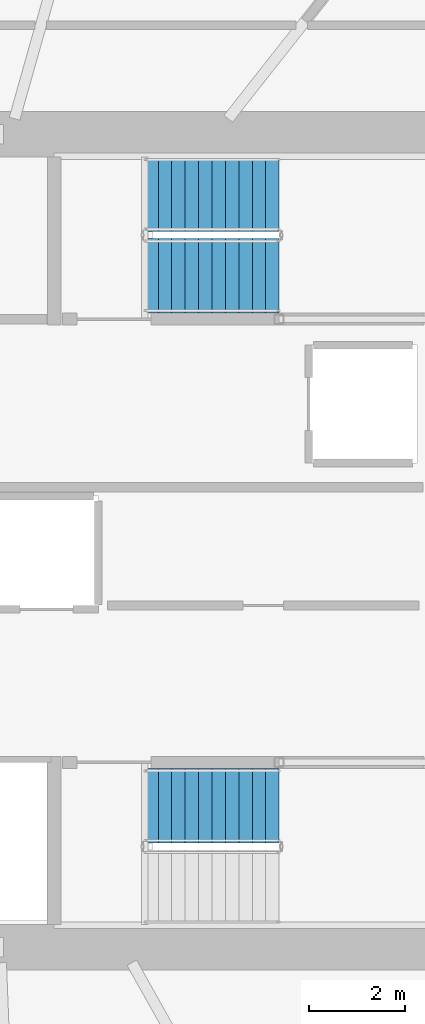
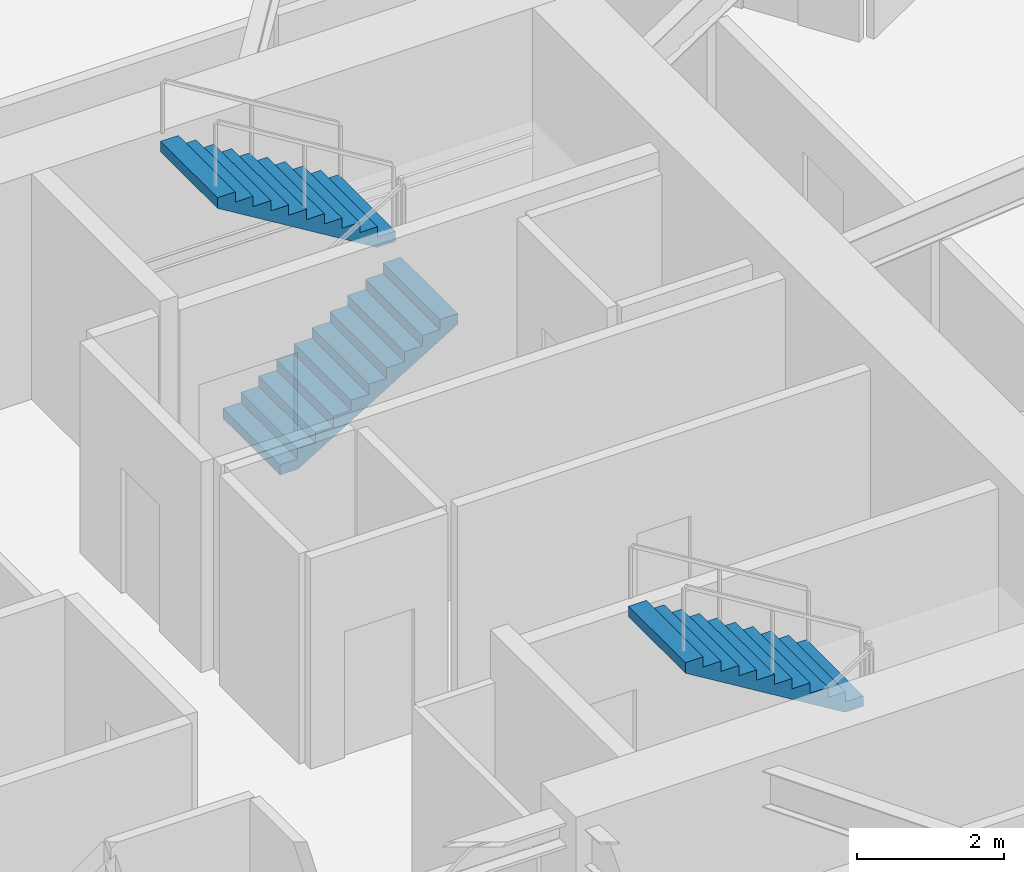
# One storey, part 23 of 30: 3 stair flights, 2 elements without a shape of their own.
"""IFC4 building model written with IfcOpenShell, lengths in metres."""

from ifc_helpers import new_model, si_unit, direction, frame, origin, place, context, subcontext, project, spatial, polyline, outline, extrude, material, type_object, element, aggregate, save


model = new_model("IFC4")

# Units and contexts
model_context = context("Model", 3, precision=1e-05, world=origin(), true_north=direction((0.0, 1.0)))
body_context = subcontext(model_context, "Body", "Model", "MODEL_VIEW")
ifc_project = project(units=[si_unit("LENGTHUNIT", "METRE"), si_unit("AREAUNIT", "SQUARE_METRE"), si_unit("VOLUMEUNIT", "CUBIC_METRE"), si_unit("PLANEANGLEUNIT", "RADIAN"), si_unit("MASSUNIT", "GRAM", prefix="KILO")], contexts=[model_context])

# Site, building, storey
site_placement = place(None, origin())
site = spatial("IfcSite", under=ifc_project, at=site_placement, CompositionType="ELEMENT")
building_placement = place(site_placement, origin())
building = spatial("IfcBuilding", under=site, at=building_placement, Name="Kazma Halo Residences", CompositionType="ELEMENT")
storey_placement = place(building_placement, frame((0.0, 0.0, 56.39990234375)))
storey = spatial("IfcBuildingStorey", under=building, at=storey_placement, Name="L13", CompositionType="ELEMENT", Elevation=56.39990234375)

# Stair, stair flights
ifc_material = material(Name="Concrete C50/60", Category="concrete")
stair_type = type_object("IfcStairType", Name="STR-RES1", PredefinedType="HALF_TURN_STAIR", material=ifc_material)
stair_1_placement = place(storey_placement, origin())
stair_1 = element("IfcStair", 1, at=stair_1_placement, inside=storey, type_object=stair_type, Name="L13 Core exit stair ST-02", PredefinedType="HALF_TURN_STAIR")
stair_flight_type = type_object("IfcStairFlightType", Name="STR-RES1-FLT", PredefinedType="STRAIGHT", material=ifc_material)
stair_flight_1_placement = place(storey_placement, frame((53.199951171875, 47.52490234375, 0.0), z_axis=(0.0, 0.0, 1.0), x_axis=(1.0, 0.0, 0.0)))
stair_flight_1 = element("IfcStairFlight", 2, at=stair_flight_1_placement, type_object=stair_flight_type, Name="ST-02 flight 1", NumberOfRisers=11, NumberOfTreads=10, PredefinedType="STRAIGHT", RiserHeight=0.170454545, TreadLength=0.28, context=body_context, shape_type="SweptSolid", body=[
    extrude(outline(polyline([(0.0, 0.0), (0.0, 0.17041015625), (0.280029296875, 0.17041015625), (0.280029296875, 0.3408203125), (0.56005859375, 0.3408203125), (0.56005859375, 0.511474609375), (0.840087890625, 0.511474609375), (0.840087890625, 0.681884765625), (1.1201171875, 0.681884765625), (1.1201171875, 0.852294921875), (1.39990234375, 0.852294921875), (1.39990234375, 1.022705078125), (1.679931640625, 1.022705078125), (1.679931640625, 1.193115234375), (1.9599609375, 1.193115234375), (1.9599609375, 1.363525390625), (2.239990234375, 1.363525390625), (2.239990234375, 1.5341796875), (2.52001953125, 1.5341796875), (2.52001953125, 1.70458984375), (2.800048828125, 1.70458984375), (2.800048828125, 1.875), (2.800048828125, 1.529052734375), (0.288330078125, 0.0), (0.0, 0.0)])), frame((0.0, 0.77490234375, 0.0), z_axis=(0.0, -1.0, 0.0), x_axis=(1.0, 0.0, 0.0)), (0.0, 0.0, 1.0), 1.550048828125),
])
stair_flight_2_placement = place(storey_placement, frame((56.0, 49.22509765625, 1.875), z_axis=(0.0, 0.0, 1.0), x_axis=(-1.0, 0.0, 0.0)))
stair_flight_2 = element("IfcStairFlight", 3, at=stair_flight_2_placement, type_object=stair_flight_type, Name="ST-02 flight 2", NumberOfRisers=11, NumberOfTreads=10, PredefinedType="STRAIGHT", RiserHeight=0.170454545, TreadLength=0.28, context=body_context, shape_type="SweptSolid", body=[
    extrude(outline(polyline([(0.0, 0.0), (0.0, 0.17041015625), (0.280029296875, 0.17041015625), (0.280029296875, 0.3408203125), (0.56005859375, 0.3408203125), (0.56005859375, 0.511474609375), (0.840087890625, 0.511474609375), (0.840087890625, 0.681884765625), (1.1201171875, 0.681884765625), (1.1201171875, 0.852294921875), (1.39990234375, 0.852294921875), (1.39990234375, 1.022705078125), (1.679931640625, 1.022705078125), (1.679931640625, 1.193115234375), (1.9599609375, 1.193115234375), (1.9599609375, 1.363525390625), (2.239990234375, 1.363525390625), (2.239990234375, 1.5341796875), (2.52001953125, 1.5341796875), (2.52001953125, 1.70458984375), (2.800048828125, 1.70458984375), (2.800048828125, 1.875), (2.800048828125, 1.529052734375), (0.288330078125, 0.0), (0.0, 0.0)])), frame((0.0, 0.77490234375, 0.0), z_axis=(0.0, -1.0, 0.0), x_axis=(1.0, 0.0, 0.0)), (0.0, 0.0, 1.0), 1.550048828125),
])
aggregate(stair_1, [stair_flight_1, stair_flight_2])

# Stair, stair flight
stair_2_placement = place(storey_placement, origin())
stair_2 = element("IfcStair", 4, at=stair_2_placement, inside=storey, type_object=stair_type, Name="L13 Core exit stair ST-03", PredefinedType="HALF_TURN_STAIR")
stair_flight_3_placement = place(storey_placement, frame((56.0, 36.47509765625, 1.875), z_axis=(0.0, 0.0, 1.0), x_axis=(-1.0, 0.0, 0.0)))
stair_flight_3 = element("IfcStairFlight", 5, at=stair_flight_3_placement, type_object=stair_flight_type, Name="ST-03 flight 2", NumberOfRisers=11, NumberOfTreads=10, PredefinedType="STRAIGHT", RiserHeight=0.170454545, TreadLength=0.28, context=body_context, shape_type="SweptSolid", body=[
    extrude(outline(polyline([(0.0, 0.0), (0.0, 0.17041015625), (0.280029296875, 0.17041015625), (0.280029296875, 0.3408203125), (0.56005859375, 0.3408203125), (0.56005859375, 0.511474609375), (0.840087890625, 0.511474609375), (0.840087890625, 0.681884765625), (1.1201171875, 0.681884765625), (1.1201171875, 0.852294921875), (1.39990234375, 0.852294921875), (1.39990234375, 1.022705078125), (1.679931640625, 1.022705078125), (1.679931640625, 1.193115234375), (1.9599609375, 1.193115234375), (1.9599609375, 1.363525390625), (2.239990234375, 1.363525390625), (2.239990234375, 1.5341796875), (2.52001953125, 1.5341796875), (2.52001953125, 1.70458984375), (2.800048828125, 1.70458984375), (2.800048828125, 1.875), (2.800048828125, 1.529052734375), (0.288330078125, 0.0), (0.0, 0.0)])), frame((0.0, 0.77490234375, 0.0), z_axis=(0.0, -1.0, 0.0), x_axis=(1.0, 0.0, 0.0)), (0.0, 0.0, 1.0), 1.550048828125),
])
aggregate(stair_2, [stair_flight_3])

save(model, "model.ifc")
